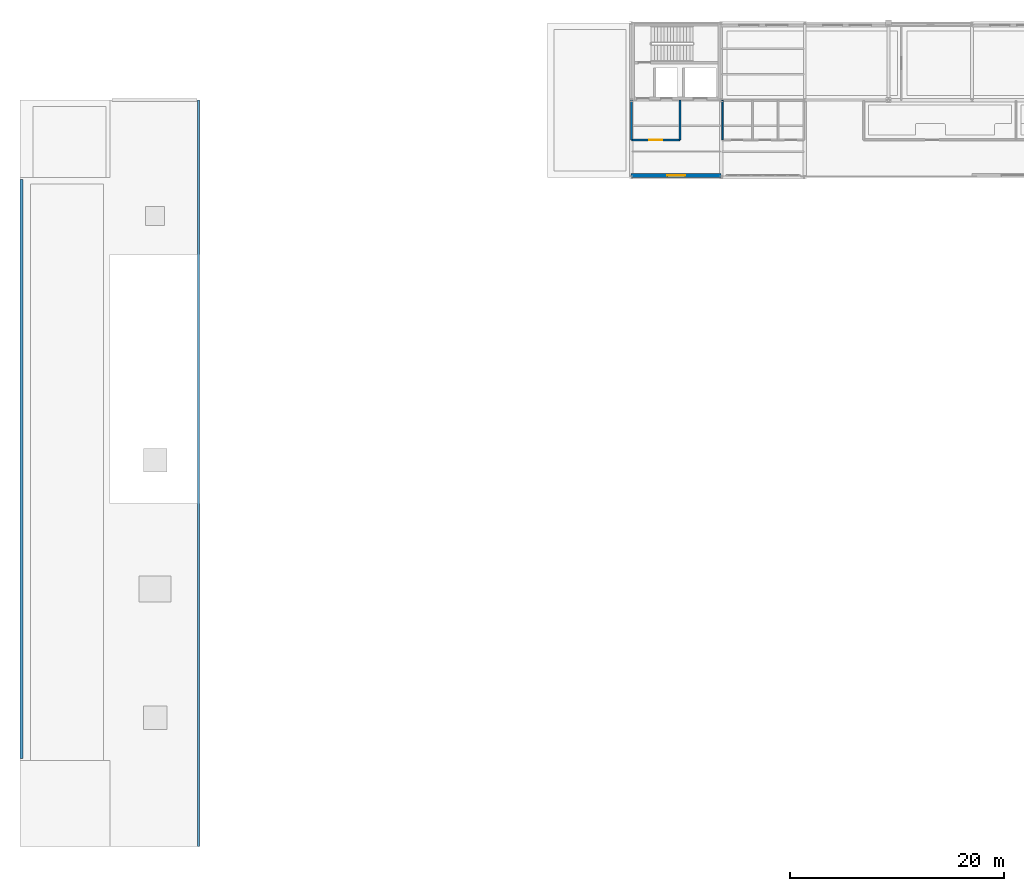
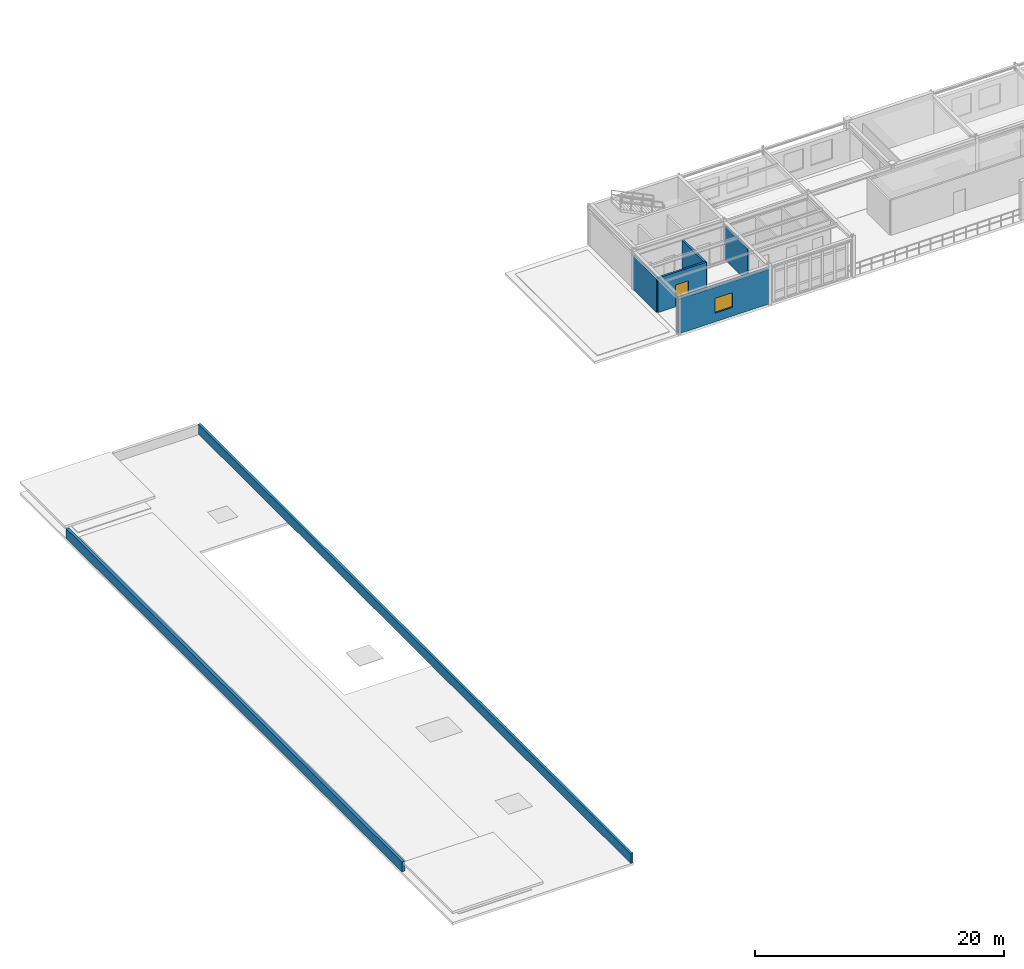
# One storey, part 12 of 20: 7 walls, 1 door, 1 window, 2 openings.
"""IFC4 building model written with IfcOpenShell, lengths in metres."""

from ifc_helpers import new_model, si_unit, derived_unit, direction, frame, frame_2d, origin, place, context, subcontext, project, spatial, rectangle, extrude, material, layer, layer_set, type_object, element, fill, save


model = new_model("IFC4")

# Units and contexts
model_context = context("Model", 3, precision=1e-05, world=origin(), true_north=direction((0.0, 1.0)))
body_context = subcontext(model_context, "Body", "Model", "MODEL_VIEW")
ifc_project = project(units=[si_unit("LENGTHUNIT", "METRE"), si_unit("AREAUNIT", "SQUARE_METRE"), si_unit("VOLUMEUNIT", "CUBIC_METRE"), si_unit("PLANEANGLEUNIT", "RADIAN"), si_unit("MASSUNIT", "GRAM", prefix="KILO"), derived_unit("THERMALTRANSMITTANCEUNIT", [(si_unit("POWERUNIT", "WATT"), 1), (si_unit("AREAUNIT", "SQUARE_METRE"), -1), (si_unit("THERMODYNAMICTEMPERATUREUNIT", "KELVIN"), -1)])], contexts=[model_context])

# Site, building, storey
site_placement = place(None, origin())
site = spatial("IfcSite", under=ifc_project, at=site_placement, CompositionType="ELEMENT")
building_placement = place(site_placement, origin())
building = spatial("IfcBuilding", under=site, at=building_placement, Name="Yasenodar Specialist Clinic", CompositionType="ELEMENT")
storey_placement = place(building_placement, frame((0.0, 0.0, 25.35009765625)))
storey = spatial("IfcBuildingStorey", under=building, at=storey_placement, Name="L06", CompositionType="ELEMENT", Elevation=25.35009765625)

# Wall, opening, window
ifc_material_1 = material(Name="Buff Architectural Terracotta Rainscreen", Category="masonry")
ifc_layer_1 = layer(ifc_material_1, 0.340087890625)
ifc_layer_set_1 = layer_set([ifc_layer_1], Name="Buff Architectural Terracotta Rainscreen")
wall_type_1 = type_object("IfcWallType", Name="EW-TERR-340", PredefinedType="SOLIDWALL", material=ifc_layer_set_1)
wall_1_placement = place(storey_placement, frame((65.39990234375, 97.3701171875, 0.0), z_axis=(0.0, 0.0, 1.0), x_axis=(-1.0, 0.0, 0.0)))
wall_1 = element("IfcWall", 1, at=wall_1_placement, inside=storey, type_object=wall_type_1, Name="L06 Exterior Facade Wall 0155", PredefinedType="SOLIDWALL", context=body_context, shape_type="SweptSolid", body=[
    extrude(rectangle(XDim=8.39990234375, YDim=0.340087890625, at=frame_2d((4.199951171875, 0.0))), origin(), (0.0, 0.0, 1.0), 3.387939453125),
])
opening_1_placement = place(wall_1_placement, frame((3.375, 0.0, 0.85009765625)))
opening_1 = element("IfcOpeningElement", 2, at=opening_1_placement, cuts=wall_1, Name="Opening W-20", PredefinedType="OPENING", context=body_context, shape_type="SweptSolid", body=[
    extrude(rectangle(XDim=1.64990234375, YDim=1.449951171875, at=frame_2d((0.824951171875, 0.72509765625))), frame((0.0, 0.18017578125, 0.0), z_axis=(0.0, -1.0, 0.0), x_axis=(1.0, 0.0, 0.0)), (0.0, 0.0, 1.0), 0.360107421875),
])
ifc_material_2 = material(Name="Triple Low-E Argon Glazing in Bronze Aluminium Frame", Category="aluminium")
window_type = type_object("IfcWindowType", Name="WIN-EXT-20", PartitioningType="SINGLE_PANEL", PredefinedType="WINDOW", material=ifc_material_2)
window_placement = place(opening_1_placement, origin())
window = element("IfcWindow", 3, at=window_placement, inside=storey, type_object=window_type, Name="L06 Triple-Glazed Reveal Window 0169", OverallHeight=1.449951171875, OverallWidth=1.64990234375, PartitioningType="SINGLE_PANEL", PredefinedType="WINDOW", context=body_context, shape_type="SweptSolid", body=[
    extrude(rectangle(XDim=1.64990234375, YDim=1.449951171875, at=frame_2d((0.824951171875, 0.72509765625))), frame((0.0, 0.030029296875, 0.0), z_axis=(0.0, -1.0, 0.0), x_axis=(1.0, 0.0, 0.0)), (0.0, 0.0, 1.0), 0.06005859375),
])
fill(opening_1, window)

# Wall, opening, door
ifc_material_3 = material(Name="Fire-Rated Gypsum and Mineral-Wool Wall")
ifc_layer_2 = layer(ifc_material_3, 0.195068359375)
ifc_layer_set_2 = layer_set([ifc_layer_2], Name="Fire-Rated Gypsum and Mineral-Wool Wall")
wall_type_2 = type_object("IfcWallType", Name="IW-LOBBY-195", PredefinedType="PARTITIONING", material=ifc_layer_set_2)
wall_2_placement = place(storey_placement, frame((57.050048828125, 100.699951171875, 0.0), z_axis=(0.0, 0.0, 1.0), x_axis=(1.0, 0.0, 0.0)))
wall_2 = element("IfcWall", 4, at=wall_2_placement, inside=storey, type_object=wall_type_2, Name="L06 C4 Firefighting Lobby South Wall", PredefinedType="PARTITIONING", context=body_context, shape_type="SweptSolid", body=[
    extrude(rectangle(XDim=4.5, YDim=0.195068359375, at=frame_2d((2.25, 0.0))), origin(), (0.0, 0.0, 1.0), 3.387939453125),
])
opening_2_placement = place(wall_2_placement, frame((1.64990234375, 0.0, 0.0)))
opening_2 = element("IfcOpeningElement", 5, at=opening_2_placement, cuts=wall_2, Name="Opening FD-02", PredefinedType="OPENING", context=body_context, shape_type="SweptSolid", body=[
    extrude(rectangle(XDim=1.199951171875, YDim=2.14990234375, at=frame_2d((0.60009765625, 1.074951171875))), frame((0.0, 0.107421875, 0.0), z_axis=(0.0, -1.0, 0.0), x_axis=(1.0, 0.0, 0.0)), (0.0, 0.0, 1.0), 0.215087890625),
])
ifc_material_4 = material(Name="Fire-Rated Insulated Steel Door", Category="steel")
door_type = type_object("IfcDoorType", Name="DR-FD-120", OperationType="NOTDEFINED", PredefinedType="DOOR", material=ifc_material_4)
door_placement = place(opening_2_placement, origin())
door = element("IfcDoor", 6, at=door_placement, inside=storey, type_object=door_type, Name="L06 C4 Firefighting Lobby Door", OperationType="SINGLE_SWING_LEFT", OverallHeight=2.14990234375, OverallWidth=1.199951171875, PredefinedType="DOOR", context=body_context, shape_type="SweptSolid", body=[
    extrude(rectangle(XDim=1.199951171875, YDim=2.14990234375, at=frame_2d((0.60009765625, 1.074951171875))), frame((0.0, 0.02490234375, 0.0), z_axis=(0.0, -1.0, 0.0), x_axis=(1.0, 0.0, 0.0)), (0.0, 0.0, 1.0), 0.050048828125),
])
fill(opening_2, door)

# Walls
for number, where, z_axis, x_axis, name in (
    (7, (61.550048828125, 100.699951171875, 0.0), (0.0, 0.0, 1.0), (0.0, 1.0, 0.0), "L06 C4 Firefighting Lobby East Wall"),
    (8, (57.050048828125, 100.699951171875, 0.0), (0.0, 0.0, 1.0), (0.0, 1.0, 0.0), "L06 C4 Firefighting Lobby West Wall"),
):
    element("IfcWall", number, at=place(storey_placement, frame(where, z_axis=z_axis, x_axis=x_axis)), inside=storey, type_object=wall_type_2, Name=name, PredefinedType="PARTITIONING", context=body_context, shape_type="SweptSolid", body=[
        extrude(rectangle(XDim=3.699951171875, YDim=0.195068359375, at=frame_2d((1.85009765625, 0.0))), origin(), (0.0, 0.0, 1.0), 3.287841796875),
    ])
ifc_material_5 = material(Name="Moisture-Resistant Sanitary Partition")
ifc_layer_3 = layer(ifc_material_5, 0.139892578125)
ifc_layer_set_3 = layer_set([ifc_layer_3], Name="Moisture-Resistant Sanitary Partition")
wall_type_3 = type_object("IfcWallType", Name="IW-WET-140", PredefinedType="PARTITIONING", material=ifc_layer_set_3)
wall_3_placement = place(storey_placement, frame((65.5, 100.699951171875, 0.0), z_axis=(0.0, 0.0, 1.0), x_axis=(0.0, 1.0, 0.0)))
element("IfcWall", 9, at=wall_3_placement, inside=storey, type_object=wall_type_3, Name="L06 North Sanitary Block West Wall", PredefinedType="PARTITIONING", context=body_context, shape_type="SweptSolid", body=[
    extrude(rectangle(XDim=3.679931640625, YDim=0.139892578125, at=frame_2d((1.83984375, 0.0))), origin(), (0.0, 0.0, 1.0), 3.287841796875),
])
ifc_material_6 = material(Name="Precast concrete C40/50", Category="concrete")
ifc_layer_4 = layer(ifc_material_6, 0.219970703125)
ifc_layer_set_4 = layer_set([ifc_layer_4], Name="Precast concrete C40/50")
wall_type_4 = type_object("IfcWallType", Name="WL-PAR-220", PredefinedType="PARAPET", material=ifc_layer_set_4)
wall_4_placement = place(storey_placement, frame((16.64990234375, 104.39990234375, 0.0), z_axis=(0.0, 0.0, 1.0), x_axis=(0.0, -1.0, 0.0)))
element("IfcWall", 10, at=wall_4_placement, inside=storey, type_object=wall_type_4, Name="L06 Stone-Coped Roof Parapet 03", PredefinedType="PARAPET", context=body_context, shape_type="SweptSolid", body=[
    extrude(rectangle(XDim=69.599853515625, YDim=0.219970703125, at=frame_2d((34.7998046875, 0.0))), origin(), (0.0, 0.0, 1.0), 0.949951171875),
])
ifc_material_7 = material(Name="Kapustianske Red Granite Coped Parapet", Category="masonry")
ifc_layer_5 = layer(ifc_material_7, 0.264892578125)
ifc_layer_set_5 = layer_set([ifc_layer_5], Name="Kapustianske Red Granite Coped Parapet")
wall_type_5 = type_object("IfcWallType", Name="WL-PAR-265", PredefinedType="PARAPET", material=ifc_layer_set_5)
wall_5_placement = place(storey_placement, frame((0.14990234375, 43.0, 0.0), z_axis=(0.0, 0.0, 1.0), x_axis=(0.0, 1.0, 0.0)))
element("IfcWall", 11, at=wall_5_placement, inside=storey, type_object=wall_type_5, Name="L06 Stone-Coped Roof Parapet 01", PredefinedType="PARAPET", context=body_context, shape_type="SweptSolid", body=[
    extrude(rectangle(XDim=54.0, YDim=0.264892578125, at=frame_2d((27.0, 0.0))), origin(), (0.0, 0.0, 1.0), 0.949951171875),
])

save(model, "model.ifc")
